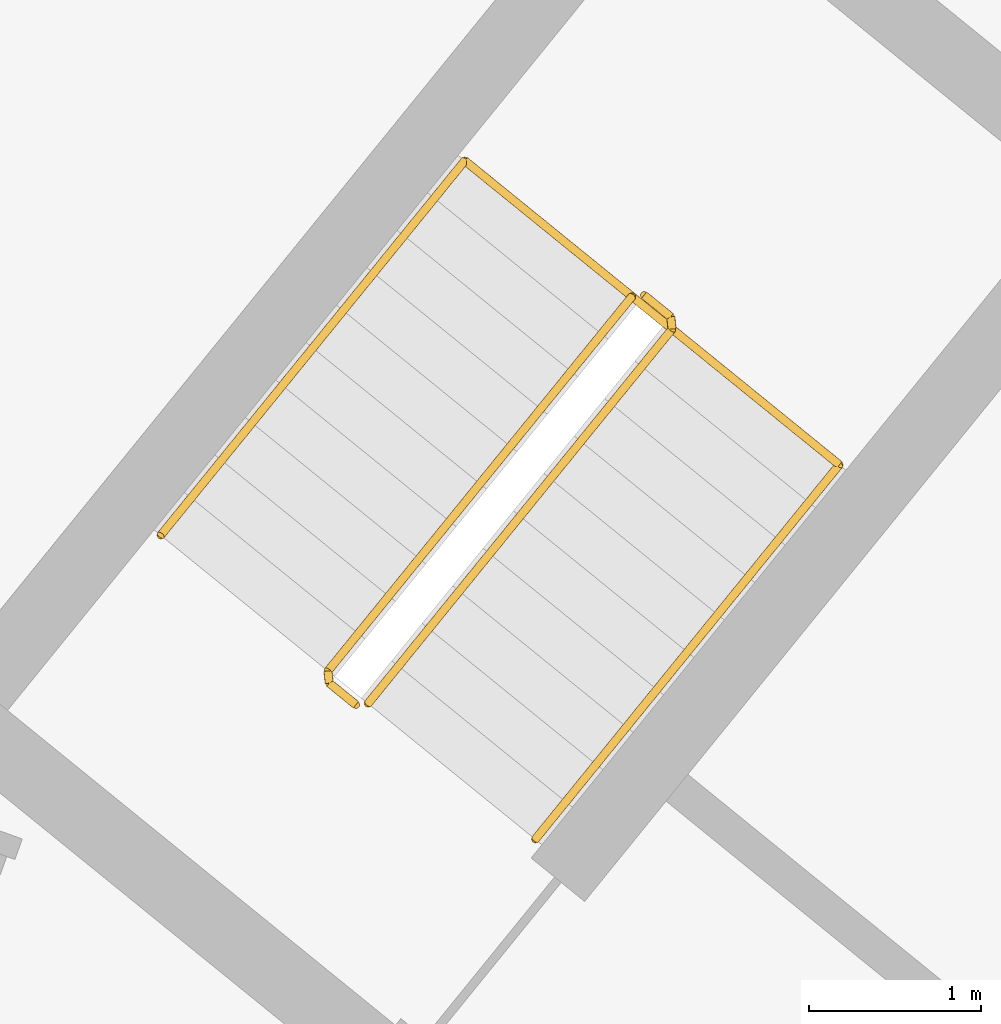
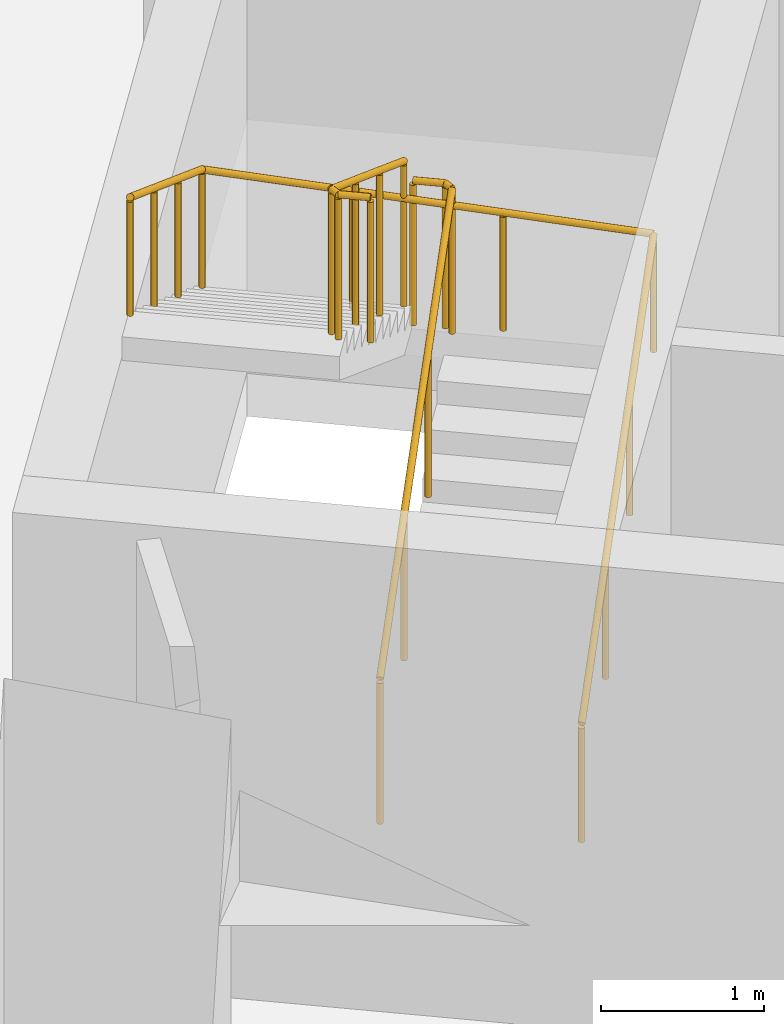
# One storey, part 24 of 24: 3 railings.
"""IFC4 building model written with IfcOpenShell, lengths in metres."""

from ifc_helpers import new_model, si_unit, direction, frame, origin, origin_2d, place, context, subcontext, project, spatial, circle, extrude, material, type_object, element, save


model = new_model("IFC4")

# Units and contexts
model_context = context("Model", 3, precision=1e-05, world=origin(), true_north=direction((0.0, 1.0)))
body_context = subcontext(model_context, "Body", "Model", "MODEL_VIEW")
ifc_project = project(units=[si_unit("LENGTHUNIT", "METRE"), si_unit("AREAUNIT", "SQUARE_METRE"), si_unit("VOLUMEUNIT", "CUBIC_METRE"), si_unit("PLANEANGLEUNIT", "RADIAN"), si_unit("MASSUNIT", "GRAM", prefix="KILO")], contexts=[model_context])

# Site, building, storey
site_placement = place(None, origin())
site = spatial("IfcSite", under=ifc_project, at=site_placement, CompositionType="ELEMENT")
building_placement = place(site_placement, origin())
building = spatial("IfcBuilding", under=site, at=building_placement, Name="Stone Belt Terrace Tower", CompositionType="ELEMENT")
storey_placement = place(building_placement, frame((0.0, 0.0, 64.199951171875)))
storey = spatial("IfcBuildingStorey", under=building, at=storey_placement, Name="L15", CompositionType="ELEMENT", Elevation=64.199951171875)

# Railings
ifc_material = material(Name="Structural steel C345", Category="steel")
railing_type_1 = type_object("IfcRailingType", Name="Stair guard 1100", PredefinedType="GUARDRAIL", material=ifc_material)
railing_1_placement = place(storey_placement, frame((29.39794921875, 38.281982421875, 0.1728515625)))
element("IfcRailing", 1, at=railing_1_placement, inside=storey, type_object=railing_type_1, Name="L15 ST3B stair guard 1", PredefinedType="GUARDRAIL", context=body_context, shape_type="SweptSolid", body=[
    extrude(circle(Radius=0.02392578125, at=origin_2d()), frame((0.0, 0.0, 1.076171875), z_axis=(0.536393061503, 0.660769759217, 0.525038864158), x_axis=(-0.776391310223, 0.630251166924, 0.0)), (0.0, 0.0, 1.0), 3.289794921875),
    extrude(circle(Radius=0.02392578125, at=origin_2d()), frame((1.7646484375, 2.173828125, 2.80322265625), z_axis=(-0.103251414163, 0.994655289773, 0.0), x_axis=(-0.994655289773, -0.103251414163, 0.0)), (0.0, 0.0, 1.0), 0.071044921875),
    extrude(circle(Radius=0.02392578125, at=origin_2d()), frame((1.75732421875, 2.244384765625, 2.80322265625), z_axis=(-0.776561986372, 0.630040856868, 0.0), x_axis=(-0.630040856868, -0.776561986372, 0.0)), (0.0, 0.0, 1.0), 0.199951171875),
    extrude(circle(Radius=0.02099609375, at=origin_2d()), origin(), (0.0, 0.0, 1.0), 1.052001953125),
    extrude(circle(Radius=0.02099609375, at=origin_2d()), frame((0.588134765625, 0.724609375, 0.57568359375)), (0.0, 0.0, 1.0), 1.052001953125),
    extrude(circle(Radius=0.02099609375, at=origin_2d()), frame((1.176513671875, 1.44921875, 1.151611328125)), (0.0, 0.0, 1.0), 1.052001953125),
    extrude(circle(Radius=0.02099609375, at=origin_2d()), frame((1.7646484375, 2.173828125, 1.727294921875)), (0.0, 0.0, 1.0), 1.052001953125),
    extrude(circle(Radius=0.02099609375, at=origin_2d()), frame((1.75732421875, 2.244384765625, 1.727294921875)), (0.0, 0.0, 1.0), 1.052001953125),
    extrude(circle(Radius=0.02099609375, at=origin_2d()), frame((1.60205078125, 2.370361328125, 1.727294921875)), (0.0, 0.0, 1.0), 1.052001953125),
])
railing_2_placement = place(storey_placement, frame((30.9296875, 40.64501953125, 2.07275390625)))
element("IfcRailing", 2, at=railing_2_placement, inside=storey, type_object=railing_type_1, Name="L15 ST3B stair guard 2", PredefinedType="GUARDRAIL", context=body_context, shape_type="SweptSolid", body=[
    extrude(circle(Radius=0.02392578125, at=origin_2d()), frame((0.0, 0.0, 1.076171875), z_axis=(-0.536366759382, -0.660811565066, 0.525013118792), x_axis=(0.776425942316, -0.630208502084, 0.0)), (0.0, 0.0, 1.0), 3.2900390625),
    extrude(circle(Radius=0.02392578125, at=origin_2d()), frame((-1.7646484375, -2.174072265625, 2.80322265625), z_axis=(0.103606084259, -0.994618408891, 0.0), x_axis=(0.994618408891, 0.103606084259, 0.0)), (0.0, 0.0, 1.0), 0.07080078125),
    extrude(circle(Radius=0.02392578125, at=origin_2d()), frame((-1.75732421875, -2.244384765625, 2.80322265625), z_axis=(0.776561986372, -0.630040856868, 0.0), x_axis=(0.630040856868, 0.776561986372, 0.0)), (0.0, 0.0, 1.0), 0.199951171875),
    extrude(circle(Radius=0.02099609375, at=origin_2d()), origin(), (0.0, 0.0, 1.0), 1.052001953125),
    extrude(circle(Radius=0.02099609375, at=origin_2d()), frame((-0.588134765625, -0.724609375, 0.57568359375)), (0.0, 0.0, 1.0), 1.052001953125),
    extrude(circle(Radius=0.02099609375, at=origin_2d()), frame((-1.176513671875, -1.449462890625, 1.151611328125)), (0.0, 0.0, 1.0), 1.052001953125),
    extrude(circle(Radius=0.02099609375, at=origin_2d()), frame((-1.7646484375, -2.174072265625, 1.727294921875)), (0.0, 0.0, 1.0), 1.052001953125),
    extrude(circle(Radius=0.02099609375, at=origin_2d()), frame((-1.75732421875, -2.244384765625, 1.727294921875)), (0.0, 0.0, 1.0), 1.052001953125),
    extrude(circle(Radius=0.02099609375, at=origin_2d()), frame((-1.60205078125, -2.370361328125, 1.727294921875)), (0.0, 0.0, 1.0), 1.052001953125),
])
railing_type_2 = type_object("IfcRailingType", Name="Stair handrail 900", PredefinedType="HANDRAIL", material=ifc_material)
railing_3_placement = place(storey_placement, frame((30.36865234375, 37.494140625, 0.1728515625)))
element("IfcRailing", 3, at=railing_3_placement, inside=storey, type_object=railing_type_2, Name="L15 ST3B stair handrail 1", PredefinedType="HANDRAIL", context=body_context, shape_type="SweptSolid", body=[
    extrude(circle(Radius=0.02392578125, at=origin_2d()), frame((0.0, 0.0, 0.8759765625), z_axis=(0.536366759382, 0.660811565066, 0.525013118792), x_axis=(-0.776425942316, 0.630208502084, 0.0)), (0.0, 0.0, 1.0), 3.2900390625),
    extrude(circle(Radius=0.02392578125, at=origin_2d()), frame((1.7646484375, 2.174072265625, 2.60302734375), z_axis=(-0.774954966459, 0.629014542119, 0.061526463929), x_axis=(-0.630208502084, -0.776425942316, 0.0)), (0.0, 0.0, 1.0), 2.805419921875),
    extrude(circle(Radius=0.02392578125, at=origin_2d()), frame((-0.409423828125, 3.938720703125, 2.77587890625), z_axis=(-0.536366759382, -0.660811565066, 0.525013118792), x_axis=(0.776425942316, -0.630208502084, 0.0)), (0.0, 0.0, 1.0), 3.2900390625),
    extrude(circle(Radius=0.02099609375, at=origin_2d()), origin(), (0.0, 0.0, 1.0), 0.851806640625),
    extrude(circle(Radius=0.02099609375, at=origin_2d()), frame((0.588134765625, 0.724609375, 0.57568359375)), (0.0, 0.0, 1.0), 0.851806640625),
    extrude(circle(Radius=0.02099609375, at=origin_2d()), frame((1.176513671875, 1.449462890625, 1.151611328125)), (0.0, 0.0, 1.0), 0.851806640625),
    extrude(circle(Radius=0.02099609375, at=origin_2d()), frame((1.7646484375, 2.174072265625, 1.727294921875)), (0.0, 0.0, 1.0), 0.851806640625),
    extrude(circle(Radius=0.02099609375, at=origin_2d()), frame((1.0400390625, 2.76220703125, 1.784912109375)), (0.0, 0.0, 1.0), 0.851806640625),
    extrude(circle(Radius=0.02099609375, at=origin_2d()), frame((0.315185546875, 3.3505859375, 1.84228515625)), (0.0, 0.0, 1.0), 0.851806640625),
    extrude(circle(Radius=0.02099609375, at=origin_2d()), frame((-0.409423828125, 3.938720703125, 1.89990234375)), (0.0, 0.0, 1.0), 0.851806640625),
    extrude(circle(Radius=0.02099609375, at=origin_2d()), frame((-0.99755859375, 3.214111328125, 2.4755859375)), (0.0, 0.0, 1.0), 0.851806640625),
    extrude(circle(Radius=0.02099609375, at=origin_2d()), frame((-1.5859375, 2.4892578125, 3.051513671875)), (0.0, 0.0, 1.0), 0.851806640625),
    extrude(circle(Radius=0.02099609375, at=origin_2d()), frame((-2.174072265625, 1.7646484375, 3.627197265625)), (0.0, 0.0, 1.0), 0.851806640625),
])

save(model, "model.ifc")
